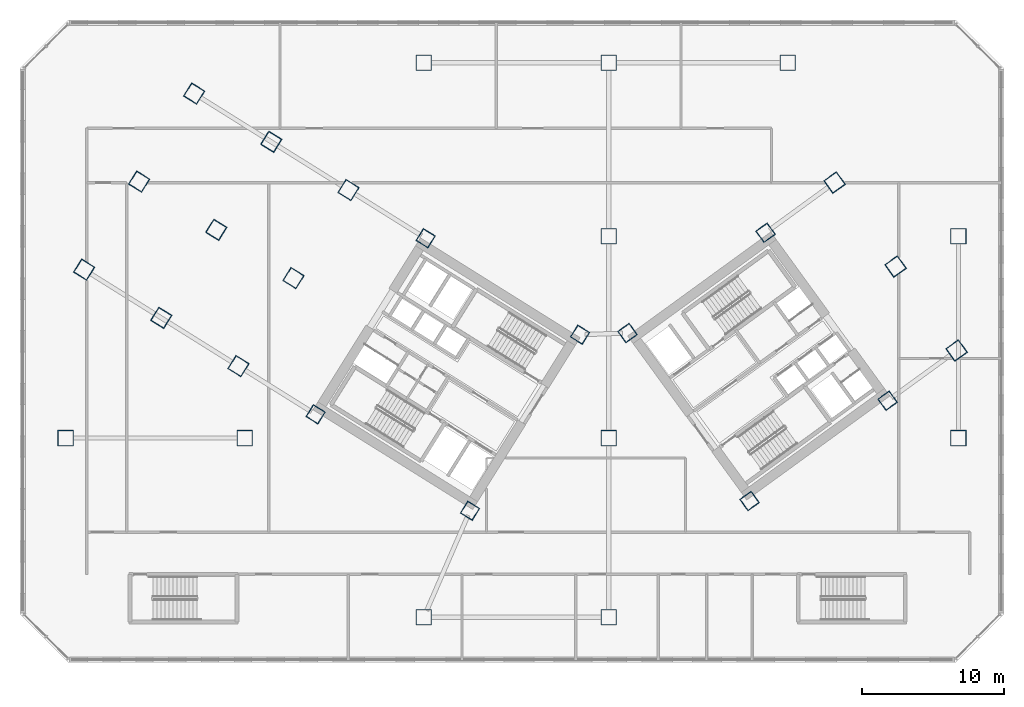
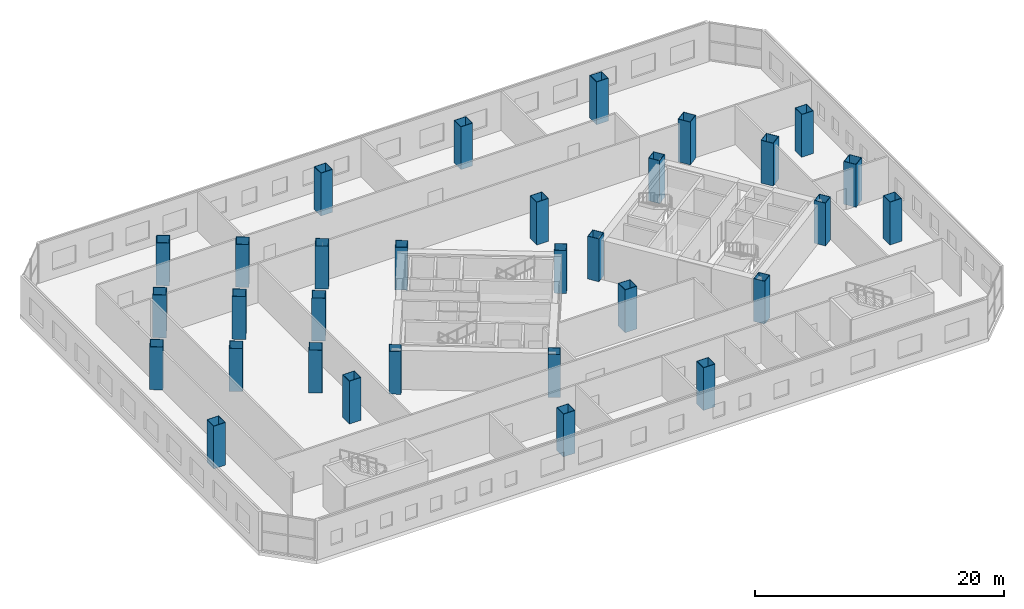
# One storey, part 1 of 22: 31 columns.
"""IFC4 building model written with IfcOpenShell, lengths in metres."""

import ifcopenshell
import ifcopenshell.guid

model = None  # the IFC model being written
_history = None  # IfcOwnerHistory: only IFC2X3 demands one
_inside = {}  # id of a spatial element -> (the spatial element, [elements in it])
_under = {}  # id of a project, library or spatial element -> (it, [spatial elements below it])
_declared = {}  # id of a project -> (the project, [libraries it declares])
_typed = {}  # id of a type object -> (the type object, [elements of that type])
_made_of = {}  # id of a material, layer set ... -> (it, [elements and type objects made of it])


def new_model(schema):
    """Start an empty IFC model of exactly this schema.

    Asked for "IFC4X3", IfcOpenShell would pick the latest addendum, in which some entities
    have other attributes; the version numbers below select the first issue.
    IFC2X3 requires an IfcOwnerHistory on every rooted entity: one is made here for all.
    """
    global model, _history
    if schema == "IFC4X3":
        model = ifcopenshell.file(schema_version=(4, 3, 0, 0))
    else:
        model = ifcopenshell.file(schema=schema)
    _inside.clear()
    _under.clear()
    _declared.clear()
    _typed.clear()
    _made_of.clear()
    _history = None
    if model.schema == "IFC2X3":
        org = make("IfcOrganization", Name="unknown")
        user = make(
            "IfcPersonAndOrganization",
            ThePerson=make("IfcPerson", FamilyName="unknown"),
            TheOrganization=org,
        )
        app = make(
            "IfcApplication",
            ApplicationDeveloper=org,
            Version="unknown",
            ApplicationFullName="unknown",
            ApplicationIdentifier="unknown",
        )
        _history = make(
            "IfcOwnerHistory",
            OwningUser=user,
            OwningApplication=app,
            ChangeAction="ADDED",
            CreationDate=0,
        )
    return model


def make(cls, **values):
    """One entity of the class cls with the attributes given. An attribute that is None is left unset."""
    return model.create_entity(
        cls, **{name: value for name, value in values.items() if value is not None}
    )


def rooted(cls, **values):
    """An entity with a GlobalId (a new one), such as an element, a storey or a relation."""
    return make(cls, GlobalId=ifcopenshell.guid.new(), OwnerHistory=_history, **values)


def si_unit(unit_type, name, prefix=None):
    """IfcSIUnit, for example si_unit("LENGTHUNIT", "METRE", prefix="MILLI")."""
    return make("IfcSIUnit", UnitType=unit_type, Prefix=prefix, Name=name)


def assignment(units):
    """IfcUnitAssignment: the units of a project."""
    return None if units is None else make("IfcUnitAssignment", Units=units)


def point(xyz):
    """IfcCartesianPoint."""
    return None if xyz is None else make("IfcCartesianPoint", Coordinates=xyz)


def direction(xyz):
    """IfcDirection."""
    return None if xyz is None else make("IfcDirection", DirectionRatios=xyz)


def frame(location, z_axis=None, x_axis=None):
    """IfcAxis2Placement3D, a coordinate frame: its origin and axes. An axis left out is left unset."""
    return make(
        "IfcAxis2Placement3D",
        Location=point(location),
        Axis=direction(z_axis),
        RefDirection=direction(x_axis),
    )


def frame_2d(location, x_axis=None):
    """IfcAxis2Placement2D, a coordinate frame in the plane: its origin and x axis."""
    return make(
        "IfcAxis2Placement2D", Location=point(location), RefDirection=direction(x_axis)
    )


def origin():
    """The frame at (0, 0, 0) with its axes left unset."""
    return frame((0.0, 0.0, 0.0))


def origin_2d():
    """The frame at (0, 0) in the plane with its x axis left unset."""
    return frame_2d((0.0, 0.0))


def place(relative_to, where):
    """IfcLocalPlacement: puts the frame where relative to a parent placement (None: the world)."""
    return make(
        "IfcLocalPlacement", PlacementRelTo=relative_to, RelativePlacement=where
    )


def context(
    kind, dimensions, precision=None, world=None, true_north=None, identifier=None
):
    """IfcGeometricRepresentationContext, for example the 3D "Model" context."""
    return make(
        "IfcGeometricRepresentationContext",
        ContextIdentifier=identifier,
        ContextType=kind,
        CoordinateSpaceDimension=dimensions,
        Precision=precision,
        WorldCoordinateSystem=world,
        TrueNorth=true_north,
    )


def subcontext(parent, identifier, kind, view, scale=None):
    """IfcGeometricRepresentationSubContext, for example "Body" below "Model"."""
    return make(
        "IfcGeometricRepresentationSubContext",
        ContextIdentifier=identifier,
        ContextType=kind,
        ParentContext=parent,
        TargetScale=scale,
        TargetView=view,
    )


def project(units=None, contexts=None):
    """IfcProject with its units and contexts."""
    return rooted(
        "IfcProject",
        Name="project",
        RepresentationContexts=contexts,
        UnitsInContext=assignment(units),
    )


def spatial(cls, under=None, at=None, **own):
    """A site, building, storey or space (cls), placed at a placement, below another one or the project."""
    s = rooted(cls, ObjectPlacement=at, **own)
    if under is not None:
        _under.setdefault(under.id(), (under, []))[1].append(s)
    return s


def profile(cls, at=None, kind="AREA", **sizes):
    """A parametric profile (cls). Its sizes go by their IFC names, for example OverallWidth=200.0."""
    return make(cls, ProfileType=kind, Position=at, **sizes)


def hollow_rectangle(**sizes):
    """IfcRectangleHollowProfileDef."""
    return profile("IfcRectangleHollowProfileDef", **sizes)


def extrude(swept, where, along, depth):
    """IfcExtrudedAreaSolid: the profile swept, set in the frame where, extruded along a direction by depth."""
    return make(
        "IfcExtrudedAreaSolid",
        SweptArea=swept,
        Position=where,
        ExtrudedDirection=direction(along),
        Depth=depth,
    )


def shape(context_of_items, identifier, shape_type, items):
    """IfcShapeRepresentation: the items that make up one representation, for example the "Body"."""
    return make(
        "IfcShapeRepresentation",
        ContextOfItems=context_of_items,
        RepresentationIdentifier=identifier,
        RepresentationType=shape_type,
        Items=items,
    )


def source(mapping_origin, context_of_items, identifier, shape_type, items):
    """IfcRepresentationMap: a shape defined once, which mapped items show again and again."""
    return make(
        "IfcRepresentationMap",
        MappingOrigin=mapping_origin,
        MappedRepresentation=shape(context_of_items, identifier, shape_type, items),
    )


def transform(
    local_origin,
    x_axis=None,
    y_axis=None,
    z_axis=None,
    scale=None,
    scale2=None,
    scale3=None,
    uniform=True,
):
    """IfcCartesianTransformationOperator3D, or its non-uniform kind. x_axis, y_axis, z_axis: its Axis1, 2, 3."""
    if uniform:
        return make(
            "IfcCartesianTransformationOperator3D",
            Axis1=direction(x_axis),
            Axis2=direction(y_axis),
            LocalOrigin=point(local_origin),
            Scale=scale,
            Axis3=direction(z_axis),
        )
    return make(
        "IfcCartesianTransformationOperator3DnonUniform",
        Axis1=direction(x_axis),
        Axis2=direction(y_axis),
        LocalOrigin=point(local_origin),
        Scale=scale,
        Axis3=direction(z_axis),
        Scale2=scale2,
        Scale3=scale3,
    )


def mapped(mapping_source, mapping_target):
    """IfcMappedItem: shows the shape of a source again, moved by a transform."""
    return make(
        "IfcMappedItem", MappingSource=mapping_source, MappingTarget=mapping_target
    )


def material(Name=None, Category=None):
    """IfcMaterial."""
    return make("IfcMaterial", Name=Name, Category=Category)


def material_profile(
    of_material, cross_section, Name=None, Category=None, Priority=None
):
    """IfcMaterialProfile: a cross section and its material."""
    return make(
        "IfcMaterialProfile",
        Name=Name,
        Material=of_material,
        Profile=cross_section,
        Priority=Priority,
        Category=Category,
    )


def profile_set(profiles, Name=None, composite=None):
    """IfcMaterialProfileSet."""
    return make(
        "IfcMaterialProfileSet",
        Name=Name,
        MaterialProfiles=profiles,
        CompositeProfile=composite,
    )


def made_of(thing, what):
    """Note that an element or type object is made of a material, layer set ...; save() writes the relation."""
    if what is not None:
        _made_of.setdefault(what.id(), (what, []))[1].append(thing)
    return thing


def type_object(cls, material=None, **own):
    """A type object (cls), such as IfcWallType, which elements share."""
    return made_of(rooted(cls, **own), material)


def element(
    cls,
    number,
    at=None,
    inside=None,
    cuts=None,
    type_object=None,
    material=None,
    context=None,
    identifier="Body",
    shape_type=None,
    held_by="IfcProductDefinitionShape",
    body=None,
    shapes=None,
    **own,
):
    """One element of the class cls, such as IfcWall. Its Tag is "e" and its number.

    at: its placement. inside: the storey or other place that contains it. cuts: it is an
    opening in that element (IfcRelVoidsElement). A single representation is given by context,
    identifier, shape_type and body (its items); several are given by shapes. held_by: the class
    of the entity that holds the representations. save() writes the other relations.
    """
    e = rooted(cls, Tag="e%d" % number, ObjectPlacement=at, **own)
    if body is not None:
        shapes = [shape(context, identifier, shape_type, body)]
    if shapes is not None:
        e.Representation = make(held_by, Representations=shapes)
    if inside is not None:
        _inside.setdefault(inside.id(), (inside, []))[1].append(e)
    if cuts is not None:
        rooted(
            "IfcRelVoidsElement", RelatingBuildingElement=cuts, RelatedOpeningElement=e
        )
    if type_object is not None:
        _typed.setdefault(type_object.id(), (type_object, []))[1].append(e)
    return made_of(e, material)


def aggregate(whole, parts):
    """IfcRelAggregates: a whole, such as a stair, and the parts it consists of."""
    return rooted("IfcRelAggregates", RelatingObject=whole, RelatedObjects=parts)


def save(model, path):
    """Write the relations noted so far, then the file.

    IfcRelAggregates (storeys below a building ...), IfcRelContainedInSpatialStructure (elements
    in a storey), IfcRelDefinesByType, IfcRelAssociatesMaterial and IfcRelDeclares: one each for
    every whole, place, type object, material and project.
    """
    for whole, parts in _under.values():
        aggregate(whole, parts)
    for where, things in _inside.values():
        rooted(
            "IfcRelContainedInSpatialStructure",
            RelatedElements=things,
            RelatingStructure=where,
        )
    for kind, things in _typed.values():
        rooted("IfcRelDefinesByType", RelatedObjects=things, RelatingType=kind)
    for what, things in _made_of.values():
        rooted("IfcRelAssociatesMaterial", RelatedObjects=things, RelatingMaterial=what)
    for by, libraries in _declared.values():
        rooted("IfcRelDeclares", RelatingContext=by, RelatedDefinitions=libraries)
    model.write(path)


model = new_model("IFC4")

# Units and contexts
model_context = context("Model", 3, precision=1e-05, world=origin(), true_north=direction((0.0, 1.0)))
body_context = subcontext(model_context, "Body", "Model", "MODEL_VIEW")
ifc_project = project(units=[si_unit("LENGTHUNIT", "METRE"), si_unit("AREAUNIT", "SQUARE_METRE"), si_unit("VOLUMEUNIT", "CUBIC_METRE"), si_unit("PLANEANGLEUNIT", "RADIAN"), si_unit("MASSUNIT", "GRAM", prefix="KILO")], contexts=[model_context])

# Site, building, storey
site_placement = place(None, origin())
site = spatial("IfcSite", under=ifc_project, at=site_placement, CompositionType="ELEMENT")
building_placement = place(site_placement, origin())
building = spatial("IfcBuilding", under=site, at=building_placement, Name="Tlacorven Tower", CompositionType="ELEMENT")
storey_placement = place(building_placement, frame((0.0, 0.0, 14.39990234375)))
storey = spatial("IfcBuildingStorey", under=building, at=storey_placement, Name="L03", CompositionType="ELEMENT", Elevation=14.39990234375)

# Columns
ifc_material = material(Name="Steel S460M", Category="steel")
ifc_material_profile_1 = material_profile(ifc_material, hollow_rectangle(XDim=1.10009765625, YDim=1.10009765625, WallThickness=0.0400390625, at=origin_2d()), Name="BOX 1100X1100X40")
ifc_profile_set_1 = profile_set([ifc_material_profile_1], Name="Steel S460M")
column_type_1 = type_object("IfcColumnType", Name="COL-POD-M2", PredefinedType="COLUMN", material=ifc_profile_set_1)
shared_shape_1 = source(origin(), body_context, "Body", "SweptSolid", [
    extrude(hollow_rectangle(XDim=1.10009765625, YDim=1.10009765625, WallThickness=0.0400390625, at=origin_2d()), origin(), (0.0, 0.0, 1.0), 4.2001953125),
])
for number, where, z_axis, x_axis, name in (
    (1, (4.60009765625, 17.199951171875, 0.0), (0.0, 0.0, 1.0), (1.0, 0.0, 0.0), "L03 column COL-L03-P01"),
    (2, (17.199951171875, 17.199951171875, 0.0), (0.0, 0.0, 1.0), (1.0, 0.0, 0.0), "L03 column COL-L03-P02"),
    (3, (29.800048828125, 4.60009765625, 0.0), (0.0, 0.0, 1.0), (1.0, 0.0, 0.0), "L03 column COL-L03-P03"),
    (4, (29.800048828125, 43.60009765625, 0.0), (0.0, 0.0, 1.0), (1.0, 0.0, 0.0), "L03 column COL-L03-P04"),
    (5, (42.800048828125, 4.60009765625, 0.0), (0.0, 0.0, 1.0), (1.0, 0.0, 0.0), "L03 column COL-L03-P05"),
    (6, (42.800048828125, 17.199951171875, 0.0), (0.0, 0.0, 1.0), (1.0, 0.0, 0.0), "L03 column COL-L03-P06"),
    (7, (42.800048828125, 31.39990234375, 0.0), (0.0, 0.0, 1.0), (1.0, 0.0, 0.0), "L03 column COL-L03-P07"),
    (8, (42.800048828125, 43.60009765625, 0.0), (0.0, 0.0, 1.0), (1.0, 0.0, 0.0), "L03 column COL-L03-P08"),
    (9, (55.39990234375, 43.60009765625, 0.0), (0.0, 0.0, 1.0), (1.0, 0.0, 0.0), "L03 column COL-L03-P09"),
    (10, (67.39990234375, 17.199951171875, 0.0), (0.0, 0.0, 1.0), (1.0, 0.0, 0.0), "L03 column COL-L03-P10"),
    (11, (67.39990234375, 31.39990234375, 0.0), (0.0, 0.0, 1.0), (1.0, 0.0, 0.0), "L03 column COL-L03-P11"),
    (12, (24.50048828125, 34.642822265625, 0.0), (0.0, 0.0, 1.0), (-0.848048096156, 0.529919264233, 0.0), "L03 column COL-L03-WT11"),
    (13, (20.632080078125, 28.4521484375, 0.0), (0.0, 0.0, 1.0), (-0.848048096156, 0.529919264233, 0.0), "L03 column COL-L03-WT12"),
    (14, (16.763671875, 22.26123046875, 0.0), (0.0, 0.0, 1.0), (-0.848048096156, 0.529919264233, 0.0), "L03 column COL-L03-WT13"),
    (15, (19.072998046875, 38.034423828125, 0.0), (0.0, 0.0, 1.0), (-0.848048096156, 0.529919264233, 0.0), "L03 column COL-L03-WT21"),
    (16, (15.20458984375, 31.843505859375, 0.0), (0.0, 0.0, 1.0), (-0.848048096156, 0.529919264233, 0.0), "L03 column COL-L03-WT22"),
    (17, (11.336181640625, 25.65283203125, 0.0), (0.0, 0.0, 1.0), (-0.848048096156, 0.529919264233, 0.0), "L03 column COL-L03-WT23"),
    (18, (13.6455078125, 41.42578125, 0.0), (0.0, 0.0, 1.0), (-0.848048096156, 0.529919264233, 0.0), "L03 column COL-L03-WT31"),
    (19, (9.777099609375, 35.235107421875, 0.0), (0.0, 0.0, 1.0), (-0.848048096156, 0.529919264233, 0.0), "L03 column COL-L03-WT32"),
    (20, (5.90869140625, 29.044189453125, 0.0), (0.0, 0.0, 1.0), (-0.848048096156, 0.529919264233, 0.0), "L03 column COL-L03-WT33"),
    (21, (67.267822265625, 23.353515625, 0.0), (0.0, 0.0, 1.0), (0.809016994375, 0.587785252292, 0.0), "L03 column COL-L03-ET11"),
    (22, (62.976806640625, 29.25927734375, 0.0), (0.0, 0.0, 1.0), (0.809016994375, 0.587785252292, 0.0), "L03 column COL-L03-ET12"),
    (23, (58.68603515625, 35.165283203125, 0.0), (0.0, 0.0, 1.0), (0.809016994375, 0.587785252292, 0.0), "L03 column COL-L03-ET13"),
):
    element("IfcColumn", number, at=place(storey_placement, frame(where, z_axis=z_axis, x_axis=x_axis)), inside=storey, type_object=column_type_1, Name=name, PredefinedType="COLUMN", context=body_context, shape_type="MappedRepresentation", body=[
        mapped(shared_shape_1, transform((0.0, 0.0, 0.0), scale=1.0)),
    ])
ifc_material_profile_2 = material_profile(ifc_material, hollow_rectangle(XDim=1.0, YDim=1.0, WallThickness=0.0400390625, at=origin_2d()), Name="BOX 1000X1000X40")
ifc_profile_set_2 = profile_set([ifc_material_profile_2], Name="Steel S460M")
column_type_2 = type_object("IfcColumnType", Name="COL-TWR-S1", PredefinedType="COLUMN", material=ifc_profile_set_2)
shared_shape_2 = source(origin(), body_context, "Body", "SweptSolid", [
    extrude(hollow_rectangle(XDim=1.0, YDim=1.0, WallThickness=0.0400390625, at=origin_2d()), origin(), (0.0, 0.0, 1.0), 4.2001953125),
])
for number, where, z_axis, x_axis, name in (
    (24, (40.782958984375, 24.468505859375, 0.0), (0.0, 0.0, 1.0), (-0.848048096156, 0.529919264233, 0.0), "L03 column COL-L03-CW11"),
    (25, (33.046142578125, 12.0869140625, 0.0), (0.0, 0.0, 1.0), (-0.848048096156, 0.529919264233, 0.0), "L03 column COL-L03-CW12"),
    (26, (29.927978515625, 31.25146484375, 0.0), (0.0, 0.0, 1.0), (-0.848048096156, 0.529919264233, 0.0), "L03 column COL-L03-CW21"),
    (27, (22.191162109375, 18.869873046875, 0.0), (0.0, 0.0, 1.0), (-0.848048096156, 0.529919264233, 0.0), "L03 column COL-L03-CW22"),
    (28, (52.705322265625, 12.7734375, 0.0), (0.0, 0.0, 1.0), (0.809016994375, 0.587785252292, 0.0), "L03 column COL-L03-CE11"),
    (29, (44.123779296875, 24.5849609375, 0.0), (0.0, 0.0, 1.0), (0.809016994375, 0.587785252292, 0.0), "L03 column COL-L03-CE12"),
    (30, (62.41357421875, 19.826904296875, 0.0), (0.0, 0.0, 1.0), (0.809016994375, 0.587785252292, 0.0), "L03 column COL-L03-CE21"),
    (31, (53.83203125, 31.638427734375, 0.0), (0.0, 0.0, 1.0), (0.809016994375, 0.587785252292, 0.0), "L03 column COL-L03-CE22"),
):
    element("IfcColumn", number, at=place(storey_placement, frame(where, z_axis=z_axis, x_axis=x_axis)), inside=storey, type_object=column_type_2, Name=name, PredefinedType="COLUMN", context=body_context, shape_type="MappedRepresentation", body=[
        mapped(shared_shape_2, transform((0.0, 0.0, 0.0), scale=1.0)),
    ])

save(model, "model.ifc")
